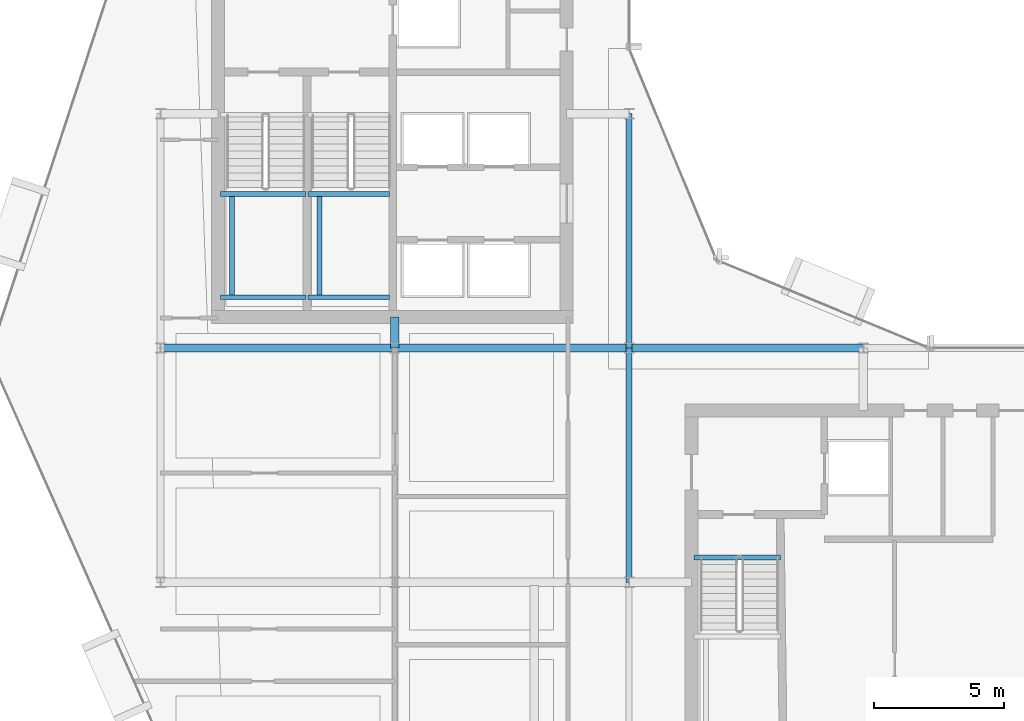
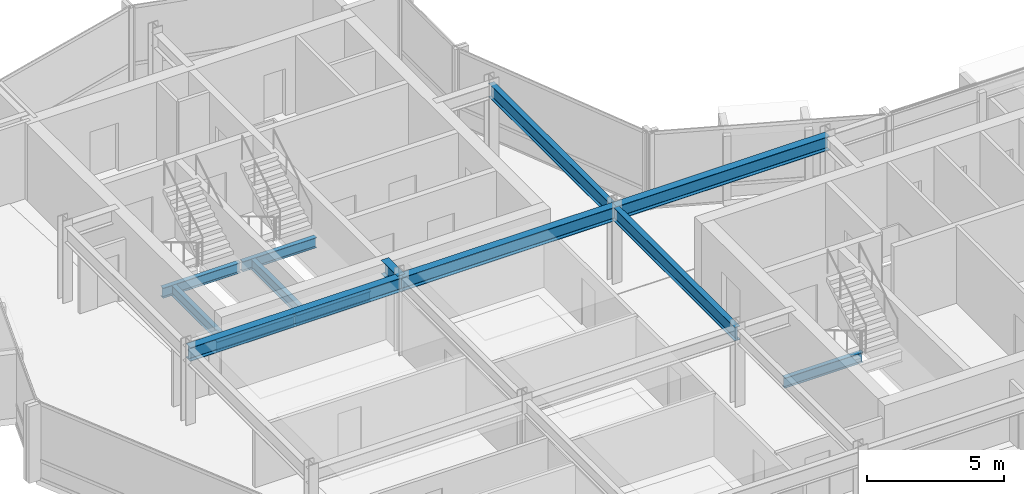
# One storey, part 7 of 28: 13 beams.
"""IFC4 building model written with IfcOpenShell, lengths in metres."""

from ifc_helpers import new_model, si_unit, direction, frame, origin, origin_2d, place, context, subcontext, project, spatial, i_section, extrude, material, material_profile, profile_set, type_object, element, save


model = new_model("IFC4")

# Units and contexts
model_context = context("Model", 3, precision=1e-05, world=origin(), true_north=direction((0.0, 1.0)))
body_context = subcontext(model_context, "Body", "Model", "MODEL_VIEW")
ifc_project = project(units=[si_unit("LENGTHUNIT", "METRE"), si_unit("AREAUNIT", "SQUARE_METRE"), si_unit("VOLUMEUNIT", "CUBIC_METRE"), si_unit("PLANEANGLEUNIT", "RADIAN"), si_unit("MASSUNIT", "GRAM", prefix="KILO")], contexts=[model_context])

# Site, building, storey
site_placement = place(None, origin())
site = spatial("IfcSite", under=ifc_project, at=site_placement, CompositionType="ELEMENT")
building_placement = place(site_placement, origin())
building = spatial("IfcBuilding", under=site, at=building_placement, Name="Solvaryn Broadcast Tower", CompositionType="ELEMENT")
storey_placement = place(building_placement, frame((0.0, 0.0, 217.300048828125)))
storey = spatial("IfcBuildingStorey", under=building, at=storey_placement, Name="L54", CompositionType="ELEMENT", Elevation=217.300048828125)

# Beams
ifc_material_1 = material(Name="Steel ASTM A992 Grade 50", Category="steel")
ifc_material_profile_1 = material_profile(ifc_material_1, i_section(OverallWidth=0.323974609375, OverallDepth=0.611083984375, WebThickness=0.0126953125, FlangeThickness=0.01904296875, FilletRadius=0.014892578125, at=origin_2d()))
ifc_profile_set_1 = profile_set([ifc_material_profile_1], Name="Steel ASTM A992 Grade 50")
beam_type_1 = type_object("IfcBeamType", Name="BM-B1-W24X104", PredefinedType="BEAM", material=ifc_profile_set_1)
for number, where, z_axis, x_axis, name in (
    (1, (9.0, 27.0, 3.114501953125), (1.0, 0.0, 0.0), (0.0, 1.0, 0.0), "L54 Primary Beam X (9-18 @ Y=27)"),
    (2, (18.0, 27.0, 3.114501953125), (1.0, 0.0, 0.0), (0.0, 1.0, 0.0), "L54 Primary Beam X (18-27 @ Y=27)"),
    (3, (27.0, 27.0, 3.114501953125), (1.0, 0.0, 0.0), (0.0, 1.0, 0.0), "L54 Primary Beam X (27-36 @ Y=27)"),
):
    element("IfcBeam", number, at=place(storey_placement, frame(where, z_axis=z_axis, x_axis=x_axis)), inside=storey, type_object=beam_type_1, Name=name, PredefinedType="BEAM", context=body_context, shape_type="SweptSolid", body=[
        extrude(i_section(OverallWidth=0.323974609375, OverallDepth=0.611083984375, WebThickness=0.0126953125, FlangeThickness=0.01904296875, FilletRadius=0.014892578125, at=origin_2d()), origin(), (0.0, 0.0, 1.0), 9.0),
    ])
beam_1_placement = place(storey_placement, frame((18.0, 27.0, 3.114501953125), z_axis=(0.0, 1.0, 0.0), x_axis=(-1.0, 0.0, 0.0)))
element("IfcBeam", 4, at=beam_1_placement, inside=storey, type_object=beam_type_1, Name="L54 Core Tie Beam CTW4", PredefinedType="BEAM", context=body_context, shape_type="SweptSolid", body=[
    extrude(i_section(OverallWidth=0.323974609375, OverallDepth=0.611083984375, WebThickness=0.0126953125, FlangeThickness=0.01904296875, FilletRadius=0.014892578125, at=origin_2d()), origin(), (0.0, 0.0, 1.0), 1.199951171875),
])
ifc_material_2 = material(Name="Steel ASTM A992 Grade 50", Category="steel")
ifc_material_profile_2 = material_profile(ifc_material_2, i_section(OverallWidth=0.22802734375, OverallDepth=0.60791015625, WebThickness=0.01123046875, FlangeThickness=0.017333984375, FilletRadius=0.014892578125, at=origin_2d()))
ifc_profile_set_2 = profile_set([ifc_material_profile_2], Name="Steel ASTM A992 Grade 50")
beam_type_2 = type_object("IfcBeamType", Name="BM-B2-W24X76", PredefinedType="BEAM", material=ifc_profile_set_2)
for number, where, z_axis, x_axis, name in (
    (5, (27.0, 18.0, 3.115966796875), (0.0, 1.0, 0.0), (-1.0, 0.0, 0.0), "L54 Primary Beam Y (18-27 @ X=27)"),
    (6, (27.0, 27.0, 3.115966796875), (0.0, 1.0, 0.0), (-1.0, 0.0, 0.0), "L54 Primary Beam Y (27-36 @ X=27)"),
):
    element("IfcBeam", number, at=place(storey_placement, frame(where, z_axis=z_axis, x_axis=x_axis)), inside=storey, type_object=beam_type_2, Name=name, PredefinedType="BEAM", context=body_context, shape_type="SweptSolid", body=[
        extrude(i_section(OverallWidth=0.22802734375, OverallDepth=0.60791015625, WebThickness=0.01123046875, FlangeThickness=0.017333984375, FilletRadius=0.014892578125, at=origin_2d()), origin(), (0.0, 0.0, 1.0), 9.0),
    ])
ifc_material_3 = material(Name="Steel ASTM A992 Grade 50", Category="steel")
ifc_material_profile_3 = material_profile(ifc_material_3, i_section(OverallWidth=0.18994140625, OverallDepth=0.45703125, WebThickness=0.009033203125, FlangeThickness=0.014404296875, FilletRadius=0.011962890625, at=origin_2d()))
ifc_profile_set_3 = profile_set([ifc_material_profile_3], Name="Steel ASTM A992 Grade 50")
beam_type_3 = type_object("IfcBeamType", Name="BM-B4-W18X50", PredefinedType="BEAM", material=ifc_profile_set_3)
for number, where, z_axis, x_axis, name in (
    (7, (11.300048828125, 28.949951171875, 1.42138671875), (1.0, 0.0, 0.0), (0.0, 1.0, 0.0), "L54 ST1 Landing Support Beam 1A"),
    (8, (11.300048828125, 32.909912109375, 1.42138671875), (1.0, 0.0, 0.0), (0.0, 1.0, 0.0), "L54 ST1 Landing Support Beam 1B"),
):
    element("IfcBeam", number, at=place(storey_placement, frame(where, z_axis=z_axis, x_axis=x_axis)), inside=storey, type_object=beam_type_3, Name=name, PredefinedType="BEAM", context=body_context, shape_type="SweptSolid", body=[
        extrude(i_section(OverallWidth=0.18994140625, OverallDepth=0.45703125, WebThickness=0.009033203125, FlangeThickness=0.014404296875, FilletRadius=0.011962890625, at=origin_2d()), origin(), (0.0, 0.0, 1.0), 3.280029296875),
    ])
beam_2_placement = place(storey_placement, frame((11.75, 28.949951171875, 1.42138671875), z_axis=(0.0, 1.0, 0.0), x_axis=(-1.0, 0.0, 0.0)))
element("IfcBeam", 9, at=beam_2_placement, inside=storey, type_object=beam_type_3, Name="L54 ST1 Landing Cross Stringer 1C", PredefinedType="BEAM", context=body_context, shape_type="SweptSolid", body=[
    extrude(i_section(OverallWidth=0.18994140625, OverallDepth=0.45703125, WebThickness=0.009033203125, FlangeThickness=0.014404296875, FilletRadius=0.011962890625, at=origin_2d()), origin(), (0.0, 0.0, 1.0), 3.9599609375),
])
for number, where, z_axis, x_axis, name in (
    (10, (14.659912109375, 28.949951171875, 1.42138671875), (1.0, 0.0, 0.0), (0.0, 1.0, 0.0), "L54 ST2 Landing Support Beam 1A"),
    (11, (14.659912109375, 32.909912109375, 1.42138671875), (1.0, 0.0, 0.0), (0.0, 1.0, 0.0), "L54 ST2 Landing Support Beam 1B"),
):
    element("IfcBeam", number, at=place(storey_placement, frame(where, z_axis=z_axis, x_axis=x_axis)), inside=storey, type_object=beam_type_3, Name=name, PredefinedType="BEAM", context=body_context, shape_type="SweptSolid", body=[
        extrude(i_section(OverallWidth=0.18994140625, OverallDepth=0.45703125, WebThickness=0.009033203125, FlangeThickness=0.014404296875, FilletRadius=0.011962890625, at=origin_2d()), origin(), (0.0, 0.0, 1.0), 3.14013671875),
    ])
beam_3_placement = place(storey_placement, frame((15.110107421875, 28.949951171875, 1.42138671875), z_axis=(0.0, 1.0, 0.0), x_axis=(-1.0, 0.0, 0.0)))
element("IfcBeam", 12, at=beam_3_placement, inside=storey, type_object=beam_type_3, Name="L54 ST2 Landing Cross Stringer 1C", PredefinedType="BEAM", context=body_context, shape_type="SweptSolid", body=[
    extrude(i_section(OverallWidth=0.18994140625, OverallDepth=0.45703125, WebThickness=0.009033203125, FlangeThickness=0.014404296875, FilletRadius=0.011962890625, at=origin_2d()), origin(), (0.0, 0.0, 1.0), 3.9599609375),
])
beam_4_placement = place(storey_placement, frame((29.5, 18.9599609375, -0.508544921875), z_axis=(1.0, 0.0, 0.0), x_axis=(0.0, 1.0, 0.0)))
element("IfcBeam", 13, at=beam_4_placement, inside=storey, type_object=beam_type_3, Name="L54 ST3 Stair Well Trimmer Beam", PredefinedType="BEAM", context=body_context, shape_type="SweptSolid", body=[
    extrude(i_section(OverallWidth=0.18994140625, OverallDepth=0.45703125, WebThickness=0.009033203125, FlangeThickness=0.014404296875, FilletRadius=0.011962890625, at=origin_2d()), origin(), (0.0, 0.0, 1.0), 3.320068359375),
])

save(model, "model.ifc")
